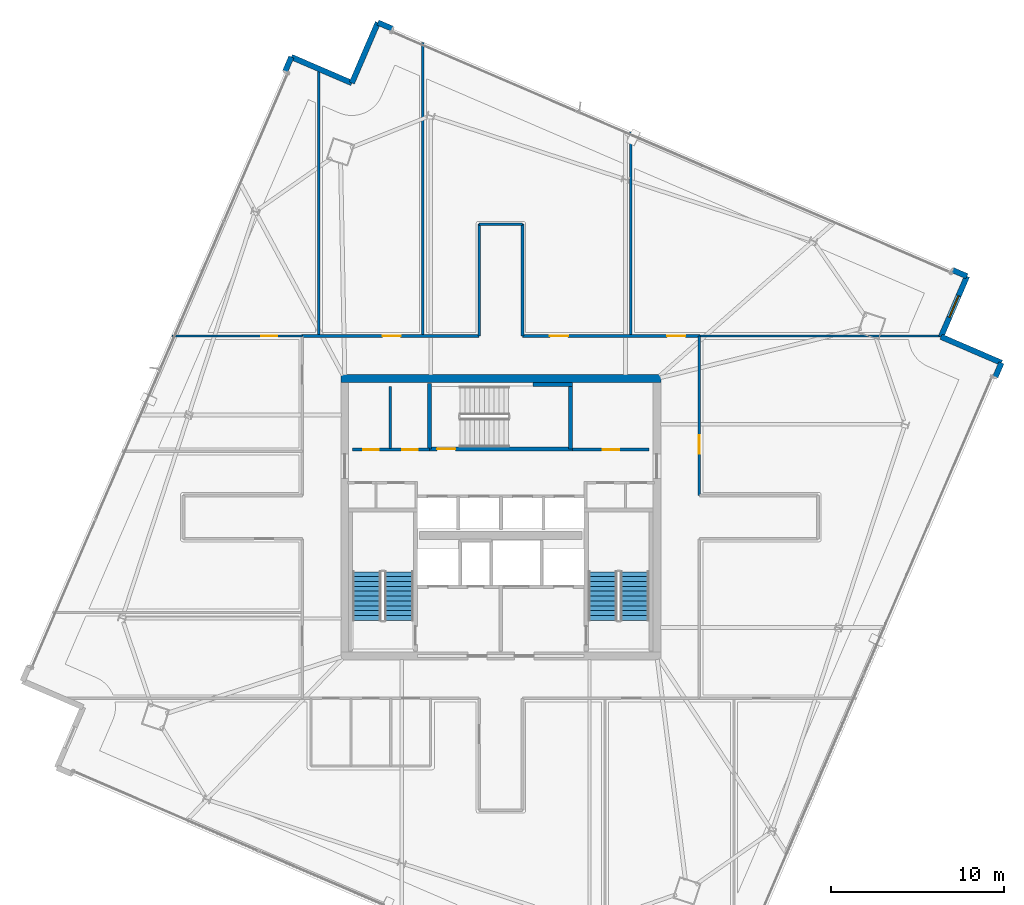
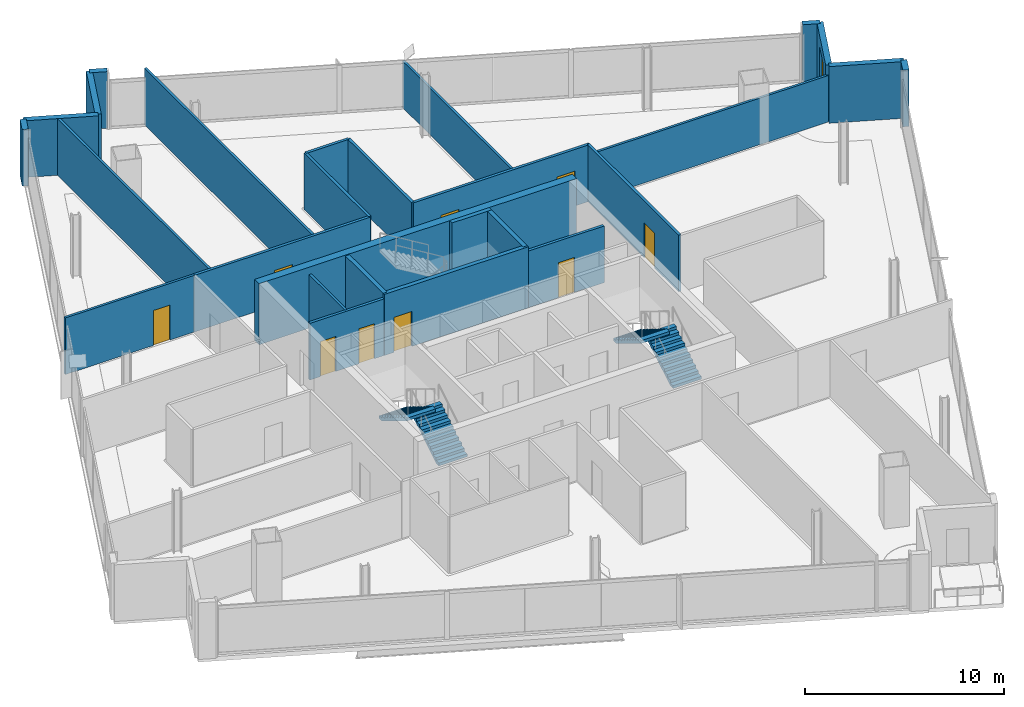
# One storey, part 22 of 28: 27 walls, 9 doors, 4 stair flights, 1 window, 10 openings, 2 elements without a shape of their own.
"""IFC4 building model written with IfcOpenShell, lengths in metres."""

import ifcopenshell
import ifcopenshell.guid

model = None  # the IFC model being written
_history = None  # IfcOwnerHistory: only IFC2X3 demands one
_inside = {}  # id of a spatial element -> (the spatial element, [elements in it])
_under = {}  # id of a project, library or spatial element -> (it, [spatial elements below it])
_declared = {}  # id of a project -> (the project, [libraries it declares])
_typed = {}  # id of a type object -> (the type object, [elements of that type])
_made_of = {}  # id of a material, layer set ... -> (it, [elements and type objects made of it])


def new_model(schema):
    """Start an empty IFC model of exactly this schema.

    Asked for "IFC4X3", IfcOpenShell would pick the latest addendum, in which some entities
    have other attributes; the version numbers below select the first issue.
    IFC2X3 requires an IfcOwnerHistory on every rooted entity: one is made here for all.
    """
    global model, _history
    if schema == "IFC4X3":
        model = ifcopenshell.file(schema_version=(4, 3, 0, 0))
    else:
        model = ifcopenshell.file(schema=schema)
    _inside.clear()
    _under.clear()
    _declared.clear()
    _typed.clear()
    _made_of.clear()
    _history = None
    if model.schema == "IFC2X3":
        org = make("IfcOrganization", Name="unknown")
        user = make(
            "IfcPersonAndOrganization",
            ThePerson=make("IfcPerson", FamilyName="unknown"),
            TheOrganization=org,
        )
        app = make(
            "IfcApplication",
            ApplicationDeveloper=org,
            Version="unknown",
            ApplicationFullName="unknown",
            ApplicationIdentifier="unknown",
        )
        _history = make(
            "IfcOwnerHistory",
            OwningUser=user,
            OwningApplication=app,
            ChangeAction="ADDED",
            CreationDate=0,
        )
    return model


def make(cls, **values):
    """One entity of the class cls with the attributes given. An attribute that is None is left unset."""
    return model.create_entity(
        cls, **{name: value for name, value in values.items() if value is not None}
    )


def rooted(cls, **values):
    """An entity with a GlobalId (a new one), such as an element, a storey or a relation."""
    return make(cls, GlobalId=ifcopenshell.guid.new(), OwnerHistory=_history, **values)


def si_unit(unit_type, name, prefix=None):
    """IfcSIUnit, for example si_unit("LENGTHUNIT", "METRE", prefix="MILLI")."""
    return make("IfcSIUnit", UnitType=unit_type, Prefix=prefix, Name=name)


def assignment(units):
    """IfcUnitAssignment: the units of a project."""
    return None if units is None else make("IfcUnitAssignment", Units=units)


def point(xyz):
    """IfcCartesianPoint."""
    return None if xyz is None else make("IfcCartesianPoint", Coordinates=xyz)


def direction(xyz):
    """IfcDirection."""
    return None if xyz is None else make("IfcDirection", DirectionRatios=xyz)


def frame(location, z_axis=None, x_axis=None):
    """IfcAxis2Placement3D, a coordinate frame: its origin and axes. An axis left out is left unset."""
    return make(
        "IfcAxis2Placement3D",
        Location=point(location),
        Axis=direction(z_axis),
        RefDirection=direction(x_axis),
    )


def frame_2d(location, x_axis=None):
    """IfcAxis2Placement2D, a coordinate frame in the plane: its origin and x axis."""
    return make(
        "IfcAxis2Placement2D", Location=point(location), RefDirection=direction(x_axis)
    )


def origin():
    """The frame at (0, 0, 0) with its axes left unset."""
    return frame((0.0, 0.0, 0.0))


def place(relative_to, where):
    """IfcLocalPlacement: puts the frame where relative to a parent placement (None: the world)."""
    return make(
        "IfcLocalPlacement", PlacementRelTo=relative_to, RelativePlacement=where
    )


def context(
    kind, dimensions, precision=None, world=None, true_north=None, identifier=None
):
    """IfcGeometricRepresentationContext, for example the 3D "Model" context."""
    return make(
        "IfcGeometricRepresentationContext",
        ContextIdentifier=identifier,
        ContextType=kind,
        CoordinateSpaceDimension=dimensions,
        Precision=precision,
        WorldCoordinateSystem=world,
        TrueNorth=true_north,
    )


def subcontext(parent, identifier, kind, view, scale=None):
    """IfcGeometricRepresentationSubContext, for example "Body" below "Model"."""
    return make(
        "IfcGeometricRepresentationSubContext",
        ContextIdentifier=identifier,
        ContextType=kind,
        ParentContext=parent,
        TargetScale=scale,
        TargetView=view,
    )


def project(units=None, contexts=None):
    """IfcProject with its units and contexts."""
    return rooted(
        "IfcProject",
        Name="project",
        RepresentationContexts=contexts,
        UnitsInContext=assignment(units),
    )


def spatial(cls, under=None, at=None, **own):
    """A site, building, storey or space (cls), placed at a placement, below another one or the project."""
    s = rooted(cls, ObjectPlacement=at, **own)
    if under is not None:
        _under.setdefault(under.id(), (under, []))[1].append(s)
    return s


def polyline(points):
    """IfcPolyline through the points."""
    return make("IfcPolyline", Points=[point(p) for p in points])


def profile(cls, at=None, kind="AREA", **sizes):
    """A parametric profile (cls). Its sizes go by their IFC names, for example OverallWidth=200.0."""
    return make(cls, ProfileType=kind, Position=at, **sizes)


def rectangle(**sizes):
    """IfcRectangleProfileDef."""
    return profile("IfcRectangleProfileDef", **sizes)


def outline(outer, holes=None, kind="AREA"):
    """IfcArbitraryClosedProfileDef: a profile drawn as a closed curve; with holes, ...WithVoids."""
    if holes is None:
        return make("IfcArbitraryClosedProfileDef", ProfileType=kind, OuterCurve=outer)
    return make(
        "IfcArbitraryProfileDefWithVoids",
        ProfileType=kind,
        OuterCurve=outer,
        InnerCurves=holes,
    )


def extrude(swept, where, along, depth):
    """IfcExtrudedAreaSolid: the profile swept, set in the frame where, extruded along a direction by depth."""
    return make(
        "IfcExtrudedAreaSolid",
        SweptArea=swept,
        Position=where,
        ExtrudedDirection=direction(along),
        Depth=depth,
    )


def shape(context_of_items, identifier, shape_type, items):
    """IfcShapeRepresentation: the items that make up one representation, for example the "Body"."""
    return make(
        "IfcShapeRepresentation",
        ContextOfItems=context_of_items,
        RepresentationIdentifier=identifier,
        RepresentationType=shape_type,
        Items=items,
    )


def material(Name=None, Category=None):
    """IfcMaterial."""
    return make("IfcMaterial", Name=Name, Category=Category)


def layer(
    of_material, thickness, ventilated=None, Name=None, Category=None, Priority=None
):
    """IfcMaterialLayer: one layer of a wall or slab, of a material (None: an air gap)."""
    return make(
        "IfcMaterialLayer",
        Material=of_material,
        LayerThickness=thickness,
        IsVentilated=ventilated,
        Name=Name,
        Category=Category,
        Priority=Priority,
    )


def layer_set(layers, Name=None):
    """IfcMaterialLayerSet."""
    return make("IfcMaterialLayerSet", MaterialLayers=layers, LayerSetName=Name)


def made_of(thing, what):
    """Note that an element or type object is made of a material, layer set ...; save() writes the relation."""
    if what is not None:
        _made_of.setdefault(what.id(), (what, []))[1].append(thing)
    return thing


def type_object(cls, material=None, **own):
    """A type object (cls), such as IfcWallType, which elements share."""
    return made_of(rooted(cls, **own), material)


def element(
    cls,
    number,
    at=None,
    inside=None,
    cuts=None,
    type_object=None,
    material=None,
    context=None,
    identifier="Body",
    shape_type=None,
    held_by="IfcProductDefinitionShape",
    body=None,
    shapes=None,
    **own,
):
    """One element of the class cls, such as IfcWall. Its Tag is "e" and its number.

    at: its placement. inside: the storey or other place that contains it. cuts: it is an
    opening in that element (IfcRelVoidsElement). A single representation is given by context,
    identifier, shape_type and body (its items); several are given by shapes. held_by: the class
    of the entity that holds the representations. save() writes the other relations.
    """
    e = rooted(cls, Tag="e%d" % number, ObjectPlacement=at, **own)
    if body is not None:
        shapes = [shape(context, identifier, shape_type, body)]
    if shapes is not None:
        e.Representation = make(held_by, Representations=shapes)
    if inside is not None:
        _inside.setdefault(inside.id(), (inside, []))[1].append(e)
    if cuts is not None:
        rooted(
            "IfcRelVoidsElement", RelatingBuildingElement=cuts, RelatedOpeningElement=e
        )
    if type_object is not None:
        _typed.setdefault(type_object.id(), (type_object, []))[1].append(e)
    return made_of(e, material)


def fill(opening, filler):
    """IfcRelFillsElement: the door or window that sits in an opening."""
    return rooted(
        "IfcRelFillsElement",
        RelatingOpeningElement=opening,
        RelatedBuildingElement=filler,
    )


def aggregate(whole, parts):
    """IfcRelAggregates: a whole, such as a stair, and the parts it consists of."""
    return rooted("IfcRelAggregates", RelatingObject=whole, RelatedObjects=parts)


def save(model, path):
    """Write the relations noted so far, then the file.

    IfcRelAggregates (storeys below a building ...), IfcRelContainedInSpatialStructure (elements
    in a storey), IfcRelDefinesByType, IfcRelAssociatesMaterial and IfcRelDeclares: one each for
    every whole, place, type object, material and project.
    """
    for whole, parts in _under.values():
        aggregate(whole, parts)
    for where, things in _inside.values():
        rooted(
            "IfcRelContainedInSpatialStructure",
            RelatedElements=things,
            RelatingStructure=where,
        )
    for kind, things in _typed.values():
        rooted("IfcRelDefinesByType", RelatedObjects=things, RelatingType=kind)
    for what, things in _made_of.values():
        rooted("IfcRelAssociatesMaterial", RelatedObjects=things, RelatingMaterial=what)
    for by, libraries in _declared.values():
        rooted("IfcRelDeclares", RelatingContext=by, RelatedDefinitions=libraries)
    model.write(path)


model = new_model("IFC4")

# Units and contexts
model_context = context("Model", 3, precision=1e-05, world=origin(), true_north=direction((0.0, 1.0)))
body_context = subcontext(model_context, "Body", "Model", "MODEL_VIEW")
ifc_project = project(units=[si_unit("LENGTHUNIT", "METRE"), si_unit("AREAUNIT", "SQUARE_METRE"), si_unit("VOLUMEUNIT", "CUBIC_METRE"), si_unit("PLANEANGLEUNIT", "RADIAN"), si_unit("MASSUNIT", "GRAM", prefix="KILO")], contexts=[model_context])

# Site, building, storey
site_placement = place(None, origin())
site = spatial("IfcSite", under=ifc_project, at=site_placement, CompositionType="ELEMENT")
building_placement = place(site_placement, origin())
building = spatial("IfcBuilding", under=site, at=building_placement, Name="Haldenkirk Collegiate Tower", CompositionType="ELEMENT")
storey_placement = place(building_placement, frame((0.0, 0.0, 252.449951171875)))
storey = spatial("IfcBuildingStorey", under=building, at=storey_placement, Name="L63", CompositionType="ELEMENT", Elevation=252.449951171875)

# Walls
ifc_material_1 = material(Name="Concrete f'c 55 MPa", Category="concrete")
ifc_layer_1 = layer(ifc_material_1, 0.449951171875)
ifc_layer_set_1 = layer_set([ifc_layer_1], Name="Concrete f'c 55 MPa")
wall_type_1 = type_object("IfcWallType", Name="WL-CORE-450", PredefinedType="SHEAR", material=ifc_layer_set_1)
wall_1_placement = place(storey_placement, frame((26.77490234375, 34.0, 0.0), z_axis=(0.0, 0.0, 1.0), x_axis=(1.0, 0.0, 0.0)))
element("IfcWall", 1, at=wall_1_placement, inside=storey, type_object=wall_type_1, Name="L63 central core shear wall N", PredefinedType="SHEAR", context=body_context, shape_type="SweptSolid", body=[
    extrude(rectangle(XDim=18.4501953125, YDim=0.449951171875, at=frame_2d((9.22509765625, 0.0))), origin(), (0.0, 0.0, 1.0), 3.75),
])
ifc_material_2 = material(Name="Precast concrete f'c 40 MPa", Category="concrete")
ifc_layer_2 = layer(ifc_material_2, 0.320068359375)
ifc_layer_set_2 = layer_set([ifc_layer_2], Name="Precast concrete f'c 40 MPa")
wall_type_2 = type_object("IfcWallType", Name="WL-EXT-TWR-320", PredefinedType="STANDARD", material=ifc_layer_set_2)
wall_2_placement = place(storey_placement, frame((64.876953125, 34.904052734375, 0.0), z_axis=(0.0, 0.0, 1.0), x_axis=(-0.395490132526, -0.91847022547, 0.0)))
element("IfcWall", 2, at=wall_2_placement, inside=storey, type_object=wall_type_2, Name="L63 precast corner pier SL", PredefinedType="STANDARD", context=body_context, shape_type="SweptSolid", body=[
    extrude(rectangle(XDim=0.900146484375, YDim=0.320068359375, at=frame_2d((0.4501953125, 0.0))), origin(), (0.0, 0.0, 1.0), 3.47998046875),
])
wall_3_placement = place(storey_placement, frame((61.386962890625, 36.406982421875, 0.0), z_axis=(0.0, 0.0, 1.0), x_axis=(0.918455708876, -0.395523843571, 0.0)))
element("IfcWall", 3, at=wall_3_placement, inside=storey, type_object=wall_type_2, Name="L63 bronze precast notch wall 02", PredefinedType="STANDARD", context=body_context, shape_type="SweptSolid", body=[
    extrude(rectangle(XDim=3.7998046875, YDim=0.320068359375, at=frame_2d((1.89990234375, 0.0))), origin(), (0.0, 0.0, 1.0), 3.47998046875),
])

# Wall, opening, window
wall_4_placement = place(storey_placement, frame((62.889892578125, 39.897216796875, 0.0), z_axis=(0.0, 0.0, 1.0), x_axis=(-0.3955005046, -0.918465759221, 0.0)))
wall_4 = element("IfcWall", 4, at=wall_4_placement, inside=storey, type_object=wall_type_2, Name="L63 bronze precast notch wall 03", PredefinedType="STANDARD", context=body_context, shape_type="SweptSolid", body=[
    extrude(rectangle(XDim=3.800048828125, YDim=0.320068359375, at=frame_2d((1.89990234375, 0.0))), origin(), (0.0, 0.0, 1.0), 3.47998046875),
])
opening_1_placement = place(wall_4_placement, frame((1.22509765625, 0.0, 0.85009765625)))
opening_1 = element("IfcOpeningElement", 5, at=opening_1_placement, cuts=wall_4, Name="Opening W-07", PredefinedType="OPENING", context=body_context, shape_type="SweptSolid", body=[
    extrude(rectangle(XDim=1.35009765625, YDim=1.949951171875, at=frame_2d((0.675048828125, 0.97509765625))), frame((0.0, 0.169921875, 0.0), z_axis=(0.0, -1.0, 0.0), x_axis=(1.0, 0.0, 0.0)), (0.0, 0.0, 1.0), 0.340087890625),
])
ifc_material_3 = material(Name="Low-E argon triple insulating glass", Category="glass")
ifc_layer_3 = layer(ifc_material_3, 0.090087890625)
ifc_layer_set_3 = layer_set([ifc_layer_3], Name="Low-E argon triple insulating glass")
window_type = type_object("IfcWindowType", Name="WN-Z5-1350X1950", PartitioningType="SINGLE_PANEL", PredefinedType="WINDOW", material=ifc_layer_set_3)
window_placement = place(opening_1_placement, origin())
window = element("IfcWindow", 6, at=window_placement, inside=storey, type_object=window_type, Name="L63 precast-frame academic window 2", OverallHeight=1.949951171875, OverallWidth=1.35009765625, PartitioningType="SINGLE_PANEL", PredefinedType="WINDOW", context=body_context, shape_type="SweptSolid", body=[
    extrude(rectangle(XDim=1.35009765625, YDim=1.949951171875, at=frame_2d((0.675048828125, 0.97509765625))), frame((0.0, 0.030029296875, 0.0), z_axis=(0.0, -1.0, 0.0), x_axis=(1.0, 0.0, 0.0)), (0.0, 0.0, 1.0), 0.06005859375),
])
fill(opening_1, window)

# Walls
wall_5_placement = place(storey_placement, frame((28.907470703125, 54.532470703125, 0.0), z_axis=(0.0, 0.0, 1.0), x_axis=(0.918427781914, -0.395588687158, 0.0)))
element("IfcWall", 7, at=wall_5_placement, inside=storey, type_object=wall_type_2, Name="L63 precast corner pier EL", PredefinedType="STANDARD", context=body_context, shape_type="SweptSolid", body=[
    extrude(rectangle(XDim=0.89990234375, YDim=0.320068359375, at=frame_2d((0.449951171875, 0.0))), origin(), (0.0, 0.0, 1.0), 3.47998046875),
])
wall_6_placement = place(storey_placement, frame((62.063232421875, 40.253173828125, 0.0), z_axis=(0.0, 0.0, 1.0), x_axis=(0.91847022547, -0.395490132526, 0.0)))
element("IfcWall", 8, at=wall_6_placement, inside=storey, type_object=wall_type_2, Name="L63 precast corner pier ER", PredefinedType="STANDARD", context=body_context, shape_type="SweptSolid", body=[
    extrude(rectangle(XDim=0.900146484375, YDim=0.320068359375, at=frame_2d((0.4501953125, 0.0))), origin(), (0.0, 0.0, 1.0), 3.47998046875),
])
for number, where, z_axis, x_axis, name in (
    (9, (27.404296875, 51.042236328125, 0.0), (0.0, 0.0, 1.0), (0.395554699425, 0.918442420494, 0.0), "L63 bronze precast notch wall 05"),
    (10, (23.914306640625, 52.54541015625, 0.0), (0.0, 0.0, 1.0), (0.91843236765, -0.395578040407, 0.0), "L63 bronze precast notch wall 06"),
):
    element("IfcWall", number, at=place(storey_placement, frame(where, z_axis=z_axis, x_axis=x_axis)), inside=storey, type_object=wall_type_2, Name=name, PredefinedType="STANDARD", context=body_context, shape_type="SweptSolid", body=[
        extrude(rectangle(XDim=3.800048828125, YDim=0.320068359375, at=frame_2d((1.89990234375, 0.0))), origin(), (0.0, 0.0, 1.0), 3.47998046875),
    ])
wall_7_placement = place(storey_placement, frame((23.558349609375, 51.71875, 0.0), z_axis=(0.0, 0.0, 1.0), x_axis=(0.395490132526, 0.91847022547, 0.0)))
element("IfcWall", 11, at=wall_7_placement, inside=storey, type_object=wall_type_2, Name="L63 precast corner pier NR", PredefinedType="STANDARD", context=body_context, shape_type="SweptSolid", body=[
    extrude(rectangle(XDim=0.900146484375, YDim=0.320068359375, at=frame_2d((0.4501953125, 0.0))), origin(), (0.0, 0.0, 1.0), 3.47998046875),
])

# Wall, openings, doors
ifc_material_4 = material(Name="Acoustic fire-rated gypsum partition", Category="concrete")
ifc_layer_4 = layer(ifc_material_4, 0.159912109375)
ifc_layer_set_4 = layer_set([ifc_layer_4], Name="Acoustic fire-rated gypsum partition")
wall_type_3 = type_object("IfcWallType", Name="WL-INT-CORR-160", PredefinedType="PARTITIONING", material=ifc_layer_set_4)
wall_8_placement = place(storey_placement, frame((27.449951171875, 29.89990234375, 0.0), z_axis=(0.0, 0.0, 1.0), x_axis=(1.0, 0.0, 0.0)))
wall_8 = element("IfcWall", 12, at=wall_8_placement, inside=storey, type_object=wall_type_3, Name="L63 interior partition IW-L63-PLS", PredefinedType="PARTITIONING", context=body_context, shape_type="SweptSolid", body=[
    extrude(rectangle(XDim=4.429931640625, YDim=0.159912109375, at=frame_2d((2.21484375, 0.0))), origin(), (0.0, 0.0, 1.0), 3.47998046875),
])
opening_2_placement = place(wall_8_placement, frame((0.60009765625, 0.0, 0.0)))
opening_2 = element("IfcOpeningElement", 13, at=opening_2_placement, cuts=wall_8, Name="Opening D-11", PredefinedType="OPENING", context=body_context, shape_type="SweptSolid", body=[
    extrude(rectangle(XDim=0.89990234375, YDim=2.14990234375, at=frame_2d((0.449951171875, 1.074951171875))), frame((0.0, 0.08984375, 0.0), z_axis=(0.0, -1.0, 0.0), x_axis=(1.0, 0.0, 0.0)), (0.0, 0.0, 1.0), 0.179931640625),
])
opening_3_placement = place(wall_8_placement, frame((2.85009765625, 0.0, 0.0)))
opening_3 = element("IfcOpeningElement", 14, at=opening_3_placement, cuts=wall_8, Name="Opening D-11", PredefinedType="OPENING", context=body_context, shape_type="SweptSolid", body=[
    extrude(rectangle(XDim=0.89990234375, YDim=2.14990234375, at=frame_2d((0.449951171875, 1.074951171875))), frame((0.0, 0.08984375, 0.0), z_axis=(0.0, -1.0, 0.0), x_axis=(1.0, 0.0, 0.0)), (0.0, 0.0, 1.0), 0.179931640625),
])
ifc_material_5 = material(Name="Solid-core architectural oak fire door", Category="wood")
ifc_layer_5 = layer(ifc_material_5, 0.06005859375)
ifc_layer_set_5 = layer_set([ifc_layer_5], Name="Solid-core architectural oak fire door")
door_type_1 = type_object("IfcDoorType", Name="DR-INT-FD60-900", OperationType="NOTDEFINED", PredefinedType="DOOR", material=ifc_layer_set_5)
door_1_placement = place(opening_2_placement, origin())
door_1 = element("IfcDoor", 15, at=door_1_placement, inside=storey, type_object=door_type_1, Name="L63 tea kitchen door", OperationType="SINGLE_SWING_LEFT", OverallHeight=2.14990234375, OverallWidth=0.89990234375, PredefinedType="DOOR", context=body_context, shape_type="SweptSolid", body=[
    extrude(rectangle(XDim=0.89990234375, YDim=2.14990234375, at=frame_2d((0.449951171875, 1.074951171875))), frame((0.0, 0.02490234375, 0.0), z_axis=(0.0, -1.0, 0.0), x_axis=(1.0, 0.0, 0.0)), (0.0, 0.0, 1.0), 0.050048828125),
])
fill(opening_2, door_1)
door_2_placement = place(opening_3_placement, origin())
door_2 = element("IfcDoor", 16, at=door_2_placement, inside=storey, type_object=door_type_1, Name="L63 IT room door", OperationType="SINGLE_SWING_RIGHT", OverallHeight=2.14990234375, OverallWidth=0.89990234375, PredefinedType="DOOR", context=body_context, shape_type="SweptSolid", body=[
    extrude(rectangle(XDim=0.89990234375, YDim=2.14990234375, at=frame_2d((0.449951171875, 1.074951171875))), frame((0.0, 0.02490234375, 0.0), z_axis=(0.0, -1.0, 0.0), x_axis=(1.0, 0.0, 0.0)), (0.0, 0.0, 1.0), 0.050048828125),
])
fill(opening_3, door_2)

# Wall, opening, door
wall_9_placement = place(storey_placement, frame((40.1201171875, 29.89990234375, 0.0), z_axis=(0.0, 0.0, 1.0), x_axis=(1.0, 0.0, 0.0)))
wall_9 = element("IfcWall", 17, at=wall_9_placement, inside=storey, type_object=wall_type_3, Name="L63 interior partition IW-L63-PMS", PredefinedType="PARTITIONING", context=body_context, shape_type="SweptSolid", body=[
    extrude(rectangle(XDim=4.429931640625, YDim=0.159912109375, at=frame_2d((2.21484375, 0.0))), origin(), (0.0, 0.0, 1.0), 3.47998046875),
])
opening_4_placement = place(wall_9_placement, frame((1.7548828125, 0.0, 0.0)))
opening_4 = element("IfcOpeningElement", 18, at=opening_4_placement, cuts=wall_9, Name="Opening D-10", PredefinedType="OPENING", context=body_context, shape_type="SweptSolid", body=[
    extrude(rectangle(XDim=0.949951171875, YDim=2.14990234375, at=frame_2d((0.47509765625, 1.074951171875))), frame((0.0, 0.08984375, 0.0), z_axis=(0.0, -1.0, 0.0), x_axis=(1.0, 0.0, 0.0)), (0.0, 0.0, 1.0), 0.179931640625),
])
ifc_layer_6 = layer(ifc_material_5, 0.06005859375)
ifc_layer_set_6 = layer_set([ifc_layer_6], Name="Solid-core architectural oak fire door")
door_type_2 = type_object("IfcDoorType", Name="DR-INT-FD60-950", OperationType="NOTDEFINED", PredefinedType="DOOR", material=ifc_layer_set_6)
door_3_placement = place(opening_4_placement, origin())
door_3 = element("IfcDoor", 19, at=door_3_placement, inside=storey, type_object=door_type_2, Name="L63 reference archive door", OperationType="SINGLE_SWING_LEFT", OverallHeight=2.14990234375, OverallWidth=0.949951171875, PredefinedType="DOOR", context=body_context, shape_type="SweptSolid", body=[
    extrude(rectangle(XDim=0.949951171875, YDim=2.14990234375, at=frame_2d((0.47509765625, 1.074951171875))), frame((0.0, 0.02490234375, 0.0), z_axis=(0.0, -1.0, 0.0), x_axis=(1.0, 0.0, 0.0)), (0.0, 0.0, 1.0), 0.050048828125),
])
fill(opening_4, door_3)

wall_10_placement = place(storey_placement, frame((24.5, 36.449951171875, 0.0), z_axis=(0.0, 0.0, 1.0), x_axis=(1.0, 0.0, 0.0)))
wall_10 = element("IfcWall", 20, at=wall_10_placement, inside=storey, type_object=wall_type_3, Name="L63 interior partition IW-L63-CN1", PredefinedType="PARTITIONING", context=body_context, shape_type="SweptSolid", body=[
    extrude(rectangle(XDim=10.25, YDim=0.159912109375, at=frame_2d((5.125, 0.0))), origin(), (0.0, 0.0, 1.0), 3.47998046875),
])
opening_5_placement = place(wall_10_placement, frame((4.675048828125, 0.0, 0.0)))
opening_5 = element("IfcOpeningElement", 21, at=opening_5_placement, cuts=wall_10, Name="Opening D-09", PredefinedType="OPENING", context=body_context, shape_type="SweptSolid", body=[
    extrude(rectangle(XDim=1.050048828125, YDim=2.14990234375, at=frame_2d((0.52490234375, 1.074951171875))), frame((0.0, 0.08984375, 0.0), z_axis=(0.0, -1.0, 0.0), x_axis=(1.0, 0.0, 0.0)), (0.0, 0.0, 1.0), 0.179931640625),
])
ifc_layer_7 = layer(ifc_material_5, 0.06005859375)
ifc_layer_set_7 = layer_set([ifc_layer_7], Name="Solid-core architectural oak fire door")
door_type_3 = type_object("IfcDoorType", Name="DR-INT-FD60-1050", OperationType="NOTDEFINED", PredefinedType="DOOR", material=ifc_layer_set_7)
door_4_placement = place(opening_5_placement, origin())
door_4 = element("IfcDoor", 22, at=door_4_placement, inside=storey, type_object=door_type_3, Name="L63 Case Method Seminar Room 5 door", OperationType="SINGLE_SWING_LEFT", OverallHeight=2.14990234375, OverallWidth=1.050048828125, PredefinedType="DOOR", context=body_context, shape_type="SweptSolid", body=[
    extrude(rectangle(XDim=1.050048828125, YDim=2.14990234375, at=frame_2d((0.52490234375, 1.074951171875))), frame((0.0, 0.02490234375, 0.0), z_axis=(0.0, -1.0, 0.0), x_axis=(1.0, 0.0, 0.0)), (0.0, 0.0, 1.0), 0.050048828125),
])
fill(opening_5, door_4)

# Wall, openings, doors
wall_11_placement = place(storey_placement, frame((37.25, 36.449951171875, 0.0), z_axis=(0.0, 0.0, 1.0), x_axis=(1.0, 0.0, 0.0)))
wall_11 = element("IfcWall", 23, at=wall_11_placement, inside=storey, type_object=wall_type_3, Name="L63 interior partition IW-L63-CN2", PredefinedType="PARTITIONING", context=body_context, shape_type="SweptSolid", body=[
    extrude(rectangle(XDim=10.25, YDim=0.159912109375, at=frame_2d((5.125, 0.0))), origin(), (0.0, 0.0, 1.0), 3.47998046875),
])
opening_6_placement = place(wall_11_placement, frame((1.5810546875, 0.0, 0.0)))
opening_6 = element("IfcOpeningElement", 24, at=opening_6_placement, cuts=wall_11, Name="Opening D-09", PredefinedType="OPENING", context=body_context, shape_type="SweptSolid", body=[
    extrude(rectangle(XDim=1.050048828125, YDim=2.14990234375, at=frame_2d((0.52490234375, 1.074951171875))), frame((0.0, 0.08984375, 0.0), z_axis=(0.0, -1.0, 0.0), x_axis=(1.0, 0.0, 0.0)), (0.0, 0.0, 1.0), 0.179931640625),
])
opening_7_placement = place(wall_11_placement, frame((8.339111328125, 0.0, 0.0)))
opening_7 = element("IfcOpeningElement", 25, at=opening_7_placement, cuts=wall_11, Name="Opening D-09", PredefinedType="OPENING", context=body_context, shape_type="SweptSolid", body=[
    extrude(rectangle(XDim=1.050048828125, YDim=2.14990234375, at=frame_2d((0.52490234375, 1.074951171875))), frame((0.0, 0.08984375, 0.0), z_axis=(0.0, -1.0, 0.0), x_axis=(1.0, 0.0, 0.0)), (0.0, 0.0, 1.0), 0.179931640625),
])
door_5_placement = place(opening_6_placement, origin())
door_5 = element("IfcDoor", 26, at=door_5_placement, inside=storey, type_object=door_type_3, Name="L63 Critique Seminar Room 6 door", OperationType="SINGLE_SWING_RIGHT", OverallHeight=2.14990234375, OverallWidth=1.050048828125, PredefinedType="DOOR", context=body_context, shape_type="SweptSolid", body=[
    extrude(rectangle(XDim=1.050048828125, YDim=2.14990234375, at=frame_2d((0.52490234375, 1.074951171875))), frame((0.0, 0.02490234375, 0.0), z_axis=(0.0, -1.0, 0.0), x_axis=(1.0, 0.0, 0.0)), (0.0, 0.0, 1.0), 0.050048828125),
])
fill(opening_6, door_5)
door_6_placement = place(opening_7_placement, origin())
door_6 = element("IfcDoor", 27, at=door_6_placement, inside=storey, type_object=door_type_3, Name="L63 Graduate Seminar Room 7 door", OperationType="SINGLE_SWING_LEFT", OverallHeight=2.14990234375, OverallWidth=1.050048828125, PredefinedType="DOOR", context=body_context, shape_type="SweptSolid", body=[
    extrude(rectangle(XDim=1.050048828125, YDim=2.14990234375, at=frame_2d((0.52490234375, 1.074951171875))), frame((0.0, 0.02490234375, 0.0), z_axis=(0.0, -1.0, 0.0), x_axis=(1.0, 0.0, 0.0)), (0.0, 0.0, 1.0), 0.050048828125),
])
fill(opening_7, door_6)

# Wall, opening, door
wall_12_placement = place(storey_placement, frame((47.449951171875, 27.25, 0.0), z_axis=(0.0, 0.0, 1.0), x_axis=(0.0, 1.0, 0.0)))
wall_12 = element("IfcWall", 28, at=wall_12_placement, inside=storey, type_object=wall_type_3, Name="L63 interior partition IW-L63-CE2", PredefinedType="PARTITIONING", context=body_context, shape_type="SweptSolid", body=[
    extrude(rectangle(XDim=9.199951171875, YDim=0.159912109375, at=frame_2d((4.60009765625, 0.0))), origin(), (0.0, 0.0, 1.0), 3.47998046875),
])
opening_8_placement = place(wall_12_placement, frame((2.4189453125, 0.0, 0.0)))
opening_8 = element("IfcOpeningElement", 29, at=opening_8_placement, cuts=wall_12, Name="Opening D-09", PredefinedType="OPENING", context=body_context, shape_type="SweptSolid", body=[
    extrude(rectangle(XDim=1.050048828125, YDim=2.14990234375, at=frame_2d((0.52490234375, 1.074951171875))), frame((0.0, 0.08984375, 0.0), z_axis=(0.0, -1.0, 0.0), x_axis=(1.0, 0.0, 0.0)), (0.0, 0.0, 1.0), 0.179931640625),
])
door_7_placement = place(opening_8_placement, origin())
door_7 = element("IfcDoor", 30, at=door_7_placement, inside=storey, type_object=door_type_3, Name="L63 Case Method Seminar Room 11 door", OperationType="SINGLE_SWING_LEFT", OverallHeight=2.14990234375, OverallWidth=1.050048828125, PredefinedType="DOOR", context=body_context, shape_type="SweptSolid", body=[
    extrude(rectangle(XDim=1.050048828125, YDim=2.14990234375, at=frame_2d((0.52490234375, 1.074951171875))), frame((0.0, 0.02490234375, 0.0), z_axis=(0.0, -1.0, 0.0), x_axis=(1.0, 0.0, 0.0)), (0.0, 0.0, 1.0), 0.050048828125),
])
fill(opening_8, door_7)

# Walls
for number, where, z_axis, x_axis, name in (
    (31, (34.75, 36.449951171875, 0.0), (0.0, 0.0, 1.0), (0.0, 1.0, 0.0), "L63 interior partition IW-L63-NPW"),
    (32, (37.25, 36.449951171875, 0.0), (0.0, 0.0, 1.0), (0.0, 1.0, 0.0), "L63 interior partition IW-L63-NPE"),
):
    element("IfcWall", number, at=place(storey_placement, frame(where, z_axis=z_axis, x_axis=x_axis)), inside=storey, type_object=wall_type_3, Name=name, PredefinedType="PARTITIONING", context=body_context, shape_type="SweptSolid", body=[
        extrude(rectangle(XDim=6.449951171875, YDim=0.159912109375, at=frame_2d((3.22509765625, 0.0))), origin(), (0.0, 0.0, 1.0), 3.47998046875),
    ])
wall_13_placement = place(storey_placement, frame((34.75, 42.89990234375, 0.0), z_axis=(0.0, 0.0, 1.0), x_axis=(1.0, 0.0, 0.0)))
element("IfcWall", 33, at=wall_13_placement, inside=storey, type_object=wall_type_3, Name="L63 interior partition IW-L63-NPN", PredefinedType="PARTITIONING", context=body_context, shape_type="SweptSolid", body=[
    extrude(rectangle(XDim=2.5, YDim=0.159912109375, at=frame_2d((1.25, 0.0))), origin(), (0.0, 0.0, 1.0), 3.47998046875),
])
ifc_layer_8 = layer(ifc_material_4, 0.139892578125)
ifc_layer_set_8 = layer_set([ifc_layer_8], Name="Acoustic fire-rated gypsum partition")
wall_type_4 = type_object("IfcWallType", Name="WL-INT-DIV-140", PredefinedType="PARTITIONING", material=ifc_layer_set_8)
wall_14_placement = place(storey_placement, frame((29.6201171875, 29.949951171875, 0.0), z_axis=(0.0, 0.0, 1.0), x_axis=(0.0, 1.0, 0.0)))
element("IfcWall", 34, at=wall_14_placement, inside=storey, type_object=wall_type_4, Name="L63 interior partition IW-L63-PLDIV", PredefinedType="PARTITIONING", context=body_context, shape_type="SweptSolid", body=[
    extrude(rectangle(XDim=3.60009765625, YDim=0.139892578125, at=frame_2d((1.800048828125, 0.0))), origin(), (0.0, 0.0, 1.0), 3.47998046875),
])

# Wall, opening, door
wall_15_placement = place(storey_placement, frame((17.026123046875, 36.449951171875, 0.0), z_axis=(0.0, 0.0, 1.0), x_axis=(1.0, 0.0, 0.0)))
wall_15 = element("IfcWall", 35, at=wall_15_placement, inside=storey, type_object=wall_type_4, Name="L63 interior partition IW-L63-BWN", PredefinedType="PARTITIONING", context=body_context, shape_type="SweptSolid", body=[
    extrude(rectangle(XDim=7.52392578125, YDim=0.139892578125, at=frame_2d((3.761962890625, 0.0))), origin(), (0.0, 0.0, 1.0), 3.47998046875),
])
opening_9_placement = place(wall_15_placement, frame((5.138916015625, 0.0, 0.0)))
opening_9 = element("IfcOpeningElement", 36, at=opening_9_placement, cuts=wall_15, Name="Opening D-12", PredefinedType="OPENING", context=body_context, shape_type="SweptSolid", body=[
    extrude(rectangle(XDim=0.949951171875, YDim=2.14990234375, at=frame_2d((0.47509765625, 1.074951171875))), frame((0.0, 0.079833984375, 0.0), z_axis=(0.0, -1.0, 0.0), x_axis=(1.0, 0.0, 0.0)), (0.0, 0.0, 1.0), 0.159912109375),
])
ifc_layer_9 = layer(ifc_material_5, 0.06005859375)
ifc_layer_set_9 = layer_set([ifc_layer_9], Name="Solid-core architectural oak fire door")
door_type_4 = type_object("IfcDoorType", Name="DR-INT-STD-950", OperationType="NOTDEFINED", PredefinedType="DOOR", material=ifc_layer_set_9)
door_8_placement = place(opening_9_placement, origin())
door_8 = element("IfcDoor", 37, at=door_8_placement, inside=storey, type_object=door_type_4, Name="L63 Breakout Conference Room 4 door", OperationType="SINGLE_SWING_RIGHT", OverallHeight=2.14990234375, OverallWidth=0.949951171875, PredefinedType="DOOR", context=body_context, shape_type="SweptSolid", body=[
    extrude(rectangle(XDim=0.949951171875, YDim=2.14990234375, at=frame_2d((0.47509765625, 1.074951171875))), frame((0.0, 0.02490234375, 0.0), z_axis=(0.0, -1.0, 0.0), x_axis=(1.0, 0.0, 0.0)), (0.0, 0.0, 1.0), 0.050048828125),
])
fill(opening_9, door_8)

# Walls
wall_16_placement = place(storey_placement, frame((47.449951171875, 36.449951171875, 0.0), z_axis=(0.0, 0.0, 1.0), x_axis=(1.0, 0.0, 0.0)))
element("IfcWall", 38, at=wall_16_placement, inside=storey, type_object=wall_type_4, Name="L63 interior partition IW-L63-BEN", PredefinedType="PARTITIONING", context=body_context, shape_type="SweptSolid", body=[
    extrude(rectangle(XDim=13.911865234375, YDim=0.139892578125, at=frame_2d((6.9560546875, 0.0))), origin(), (0.0, 0.0, 1.0), 2.858154296875),
])
wall_17_placement = place(storey_placement, frame((25.5, 36.449951171875, 0.0), z_axis=(0.0, 0.0, 1.0), x_axis=(0.0, 1.0, 0.0)))
element("IfcWall", 39, at=wall_17_placement, inside=storey, type_object=wall_type_4, Name="L63 interior partition IW-L63-RN1", PredefinedType="PARTITIONING", context=body_context, shape_type="SweptSolid", body=[
    extrude(rectangle(XDim=15.368896484375, YDim=0.139892578125, at=frame_2d((7.6845703125, 0.0))), origin(), (0.0, 0.0, 1.0), 3.47998046875),
])
wall_18_placement = place(storey_placement, frame((31.5, 36.449951171875, 0.0), z_axis=(0.0, 0.0, 1.0), x_axis=(0.0, 1.0, 0.0)))
element("IfcWall", 40, at=wall_18_placement, inside=storey, type_object=wall_type_4, Name="L63 interior partition IW-L63-RN2", PredefinedType="PARTITIONING", context=body_context, shape_type="SweptSolid", body=[
    extrude(rectangle(XDim=16.92236328125, YDim=0.139892578125, at=frame_2d((8.461181640625, 0.0))), origin(), (0.0, 0.0, 1.0), 3.47998046875),
])
wall_19_placement = place(storey_placement, frame((43.5, 36.449951171875, 0.0), z_axis=(0.0, 0.0, 1.0), x_axis=(0.0, 1.0, 0.0)))
element("IfcWall", 41, at=wall_19_placement, inside=storey, type_object=wall_type_4, Name="L63 interior partition IW-L63-RN3", PredefinedType="PARTITIONING", context=body_context, shape_type="SweptSolid", body=[
    extrude(rectangle(XDim=11.75439453125, YDim=0.139892578125, at=frame_2d((5.877197265625, 0.0))), origin(), (0.0, 0.0, 1.0), 2.858154296875),
])

# Wall, opening, door
ifc_layer_10 = layer(ifc_material_1, 0.239990234375)
ifc_layer_set_10 = layer_set([ifc_layer_10], Name="Concrete f'c 55 MPa")
wall_type_5 = type_object("IfcWallType", Name="WL-SHAFT-240", PredefinedType="SHEAR", material=ifc_layer_set_10)
wall_20_placement = place(storey_placement, frame((31.760009765625, 29.929931640625, 0.0), z_axis=(0.0, 0.0, 1.0), x_axis=(1.0, 0.0, 0.0)))
wall_20 = element("IfcWall", 42, at=wall_20_placement, inside=storey, type_object=wall_type_5, Name="L63 stair shaft shear wall SW-L63-ST3S", PredefinedType="SHEAR", context=body_context, shape_type="SweptSolid", body=[
    extrude(rectangle(XDim=8.3798828125, YDim=0.239990234375, at=frame_2d((4.18994140625, 0.0))), origin(), (0.0, 0.0, 1.0), 3.75),
])
opening_10_placement = place(wall_20_placement, frame((0.56494140625, 0.0, 0.0)))
opening_10 = element("IfcOpeningElement", 43, at=opening_10_placement, cuts=wall_20, Name="Opening D-01", PredefinedType="OPENING", context=body_context, shape_type="SweptSolid", body=[
    extrude(rectangle(XDim=1.050048828125, YDim=2.14990234375, at=frame_2d((0.52490234375, 1.074951171875))), frame((0.0, 0.1298828125, 0.0), z_axis=(0.0, -1.0, 0.0), x_axis=(1.0, 0.0, 0.0)), (0.0, 0.0, 1.0), 0.260009765625),
])
ifc_material_6 = material(Name="Galvanized fire-rated hollow steel door", Category="steel")
ifc_layer_11 = layer(ifc_material_6, 0.06005859375)
ifc_layer_set_11 = layer_set([ifc_layer_11], Name="Galvanized fire-rated hollow steel door")
door_type_5 = type_object("IfcDoorType", Name="DR-STAIR-FD90-1050", OperationType="NOTDEFINED", PredefinedType="DOOR", material=ifc_layer_set_11)
door_9_placement = place(opening_10_placement, origin())
door_9 = element("IfcDoor", 44, at=door_9_placement, inside=storey, type_object=door_type_5, Name="L63 lift lobby Stair 3 door", OperationType="SINGLE_SWING_RIGHT", OverallHeight=2.14990234375, OverallWidth=1.050048828125, PredefinedType="DOOR", context=body_context, shape_type="SweptSolid", body=[
    extrude(rectangle(XDim=1.050048828125, YDim=2.14990234375, at=frame_2d((0.52490234375, 1.074951171875))), frame((0.0, 0.02490234375, 0.0), z_axis=(0.0, -1.0, 0.0), x_axis=(1.0, 0.0, 0.0)), (0.0, 0.0, 1.0), 0.050048828125),
])
fill(opening_10, door_9)

# Walls
wall_21_placement = place(storey_placement, frame((31.8798828125, 29.929931640625, 0.0), z_axis=(0.0, 0.0, 1.0), x_axis=(0.0, 1.0, 0.0)))
element("IfcWall", 45, at=wall_21_placement, inside=storey, type_object=wall_type_5, Name="L63 stair shaft shear wall SW-L63-ST3W", PredefinedType="SHEAR", context=body_context, shape_type="SweptSolid", body=[
    extrude(rectangle(XDim=3.7900390625, YDim=0.239990234375, at=frame_2d((1.89501953125, 0.0))), origin(), (0.0, 0.0, 1.0), 3.75),
])
wall_22_placement = place(storey_placement, frame((40.02001953125, 29.929931640625, 0.0), z_axis=(0.0, 0.0, 1.0), x_axis=(0.0, 1.0, 0.0)))
element("IfcWall", 46, at=wall_22_placement, inside=storey, type_object=wall_type_5, Name="L63 stair shaft shear wall SW-L63-ST3E", PredefinedType="SHEAR", context=body_context, shape_type="SweptSolid", body=[
    extrude(rectangle(XDim=3.85009765625, YDim=0.239990234375, at=frame_2d((1.925048828125, 0.0))), origin(), (0.0, 0.0, 1.0), 3.75),
])
wall_23_placement = place(storey_placement, frame((37.85009765625, 33.659912109375, 0.0), z_axis=(0.0, 0.0, 1.0), x_axis=(1.0, 0.0, 0.0)))
element("IfcWall", 47, at=wall_23_placement, inside=storey, type_object=wall_type_5, Name="L63 stair shaft shear wall SW-L63-ST3N", PredefinedType="SHEAR", context=body_context, shape_type="SweptSolid", body=[
    extrude(rectangle(XDim=2.289794921875, YDim=0.239990234375, at=frame_2d((1.14501953125, 0.0))), origin(), (0.0, 0.0, 1.0), 3.75),
])

# Stair, stair flights
ifc_material_7 = material(Name="Concrete f'c 40 MPa", Category="concrete")
stair_type = type_object("IfcStairType", Name="STR-DOGLEG-1650", PredefinedType="HALF_TURN_STAIR", material=ifc_material_7)
stair_1_placement = place(storey_placement, origin())
stair_1 = element("IfcStair", 48, at=stair_1_placement, inside=storey, type_object=stair_type, Name="L63 Core Exit Stair ST-1", PredefinedType="HALF_TURN_STAIR")
stair_flight_type = type_object("IfcStairFlightType", Name="STF-FLIGHT-1650", PredefinedType="STRAIGHT", material=ifc_material_7)
stair_flight_1_placement = place(storey_placement, frame((30.125, 20.050048828125, 0.0), z_axis=(0.0, 0.0, 1.0), x_axis=(0.0, 1.0, 0.0)))
stair_flight_1 = element("IfcStairFlight", 49, at=stair_flight_1_placement, type_object=stair_flight_type, Name="ST-1 flight 1", NumberOfRisers=11, NumberOfTreads=10, PredefinedType="STRAIGHT", RiserHeight=0.170454545, TreadLength=0.28, context=body_context, shape_type="SweptSolid", body=[
    extrude(outline(polyline([(0.0, 0.0), (0.0, 0.17041015625), (0.280029296875, 0.17041015625), (0.280029296875, 0.3408203125), (0.56005859375, 0.3408203125), (0.56005859375, 0.511474609375), (0.840087890625, 0.511474609375), (0.840087890625, 0.681884765625), (1.1201171875, 0.681884765625), (1.1201171875, 0.852294921875), (1.39990234375, 0.852294921875), (1.39990234375, 1.022705078125), (1.679931640625, 1.022705078125), (1.679931640625, 1.193115234375), (1.9599609375, 1.193115234375), (1.9599609375, 1.363525390625), (2.239990234375, 1.363525390625), (2.239990234375, 1.5341796875), (2.52001953125, 1.5341796875), (2.52001953125, 1.70458984375), (2.800048828125, 1.70458984375), (2.800048828125, 1.875), (2.800048828125, 1.529052734375), (0.288330078125, 0.0), (0.0, 0.0)])), frame((0.0, 0.824951171875, 0.0), z_axis=(0.0, -1.0, 0.0), x_axis=(1.0, 0.0, 0.0)), (0.0, 0.0, 1.0), 1.64990234375),
])
stair_flight_2_placement = place(storey_placement, frame((28.27490234375, 22.85009765625, 1.875), z_axis=(0.0, 0.0, 1.0), x_axis=(0.0, -1.0, 0.0)))
stair_flight_2 = element("IfcStairFlight", 50, at=stair_flight_2_placement, type_object=stair_flight_type, Name="ST-1 flight 2", NumberOfRisers=11, NumberOfTreads=10, PredefinedType="STRAIGHT", RiserHeight=0.170454545, TreadLength=0.28, context=body_context, shape_type="SweptSolid", body=[
    extrude(outline(polyline([(0.0, 0.0), (0.0, 0.17041015625), (0.280029296875, 0.17041015625), (0.280029296875, 0.3408203125), (0.56005859375, 0.3408203125), (0.56005859375, 0.511474609375), (0.840087890625, 0.511474609375), (0.840087890625, 0.681884765625), (1.1201171875, 0.681884765625), (1.1201171875, 0.852294921875), (1.39990234375, 0.852294921875), (1.39990234375, 1.022705078125), (1.679931640625, 1.022705078125), (1.679931640625, 1.193115234375), (1.9599609375, 1.193115234375), (1.9599609375, 1.363525390625), (2.239990234375, 1.363525390625), (2.239990234375, 1.5341796875), (2.52001953125, 1.5341796875), (2.52001953125, 1.70458984375), (2.800048828125, 1.70458984375), (2.800048828125, 1.875), (2.800048828125, 1.529052734375), (0.288330078125, 0.0), (0.0, 0.0)])), frame((0.0, 0.824951171875, 0.0), z_axis=(0.0, -1.0, 0.0), x_axis=(1.0, 0.0, 0.0)), (0.0, 0.0, 1.0), 1.64990234375),
])
aggregate(stair_1, [stair_flight_1, stair_flight_2])

stair_2_placement = place(storey_placement, origin())
stair_2 = element("IfcStair", 51, at=stair_2_placement, inside=storey, type_object=stair_type, Name="L63 Core Exit Stair ST-2", PredefinedType="HALF_TURN_STAIR")
stair_flight_3_placement = place(storey_placement, frame((43.72509765625, 20.050048828125, 0.0), z_axis=(0.0, 0.0, 1.0), x_axis=(0.0, 1.0, 0.0)))
stair_flight_3 = element("IfcStairFlight", 52, at=stair_flight_3_placement, type_object=stair_flight_type, Name="ST-2 flight 1", NumberOfRisers=11, NumberOfTreads=10, PredefinedType="STRAIGHT", RiserHeight=0.170454545, TreadLength=0.28, context=body_context, shape_type="SweptSolid", body=[
    extrude(outline(polyline([(0.0, 0.0), (0.0, 0.17041015625), (0.280029296875, 0.17041015625), (0.280029296875, 0.3408203125), (0.56005859375, 0.3408203125), (0.56005859375, 0.511474609375), (0.840087890625, 0.511474609375), (0.840087890625, 0.681884765625), (1.1201171875, 0.681884765625), (1.1201171875, 0.852294921875), (1.39990234375, 0.852294921875), (1.39990234375, 1.022705078125), (1.679931640625, 1.022705078125), (1.679931640625, 1.193115234375), (1.9599609375, 1.193115234375), (1.9599609375, 1.363525390625), (2.239990234375, 1.363525390625), (2.239990234375, 1.5341796875), (2.52001953125, 1.5341796875), (2.52001953125, 1.70458984375), (2.800048828125, 1.70458984375), (2.800048828125, 1.875), (2.800048828125, 1.529052734375), (0.288330078125, 0.0), (0.0, 0.0)])), frame((0.0, 0.824951171875, 0.0), z_axis=(0.0, -1.0, 0.0), x_axis=(1.0, 0.0, 0.0)), (0.0, 0.0, 1.0), 1.64990234375),
])
stair_flight_4_placement = place(storey_placement, frame((41.875, 22.85009765625, 1.875), z_axis=(0.0, 0.0, 1.0), x_axis=(0.0, -1.0, 0.0)))
stair_flight_4 = element("IfcStairFlight", 53, at=stair_flight_4_placement, type_object=stair_flight_type, Name="ST-2 flight 2", NumberOfRisers=11, NumberOfTreads=10, PredefinedType="STRAIGHT", RiserHeight=0.170454545, TreadLength=0.28, context=body_context, shape_type="SweptSolid", body=[
    extrude(outline(polyline([(0.0, 0.0), (0.0, 0.17041015625), (0.280029296875, 0.17041015625), (0.280029296875, 0.3408203125), (0.56005859375, 0.3408203125), (0.56005859375, 0.511474609375), (0.840087890625, 0.511474609375), (0.840087890625, 0.681884765625), (1.1201171875, 0.681884765625), (1.1201171875, 0.852294921875), (1.39990234375, 0.852294921875), (1.39990234375, 1.022705078125), (1.679931640625, 1.022705078125), (1.679931640625, 1.193115234375), (1.9599609375, 1.193115234375), (1.9599609375, 1.363525390625), (2.239990234375, 1.363525390625), (2.239990234375, 1.5341796875), (2.52001953125, 1.5341796875), (2.52001953125, 1.70458984375), (2.800048828125, 1.70458984375), (2.800048828125, 1.875), (2.800048828125, 1.529052734375), (0.288330078125, 0.0), (0.0, 0.0)])), frame((0.0, 0.824951171875, 0.0), z_axis=(0.0, -1.0, 0.0), x_axis=(1.0, 0.0, 0.0)), (0.0, 0.0, 1.0), 1.64990234375),
])
aggregate(stair_2, [stair_flight_3, stair_flight_4])

save(model, "model.ifc")
